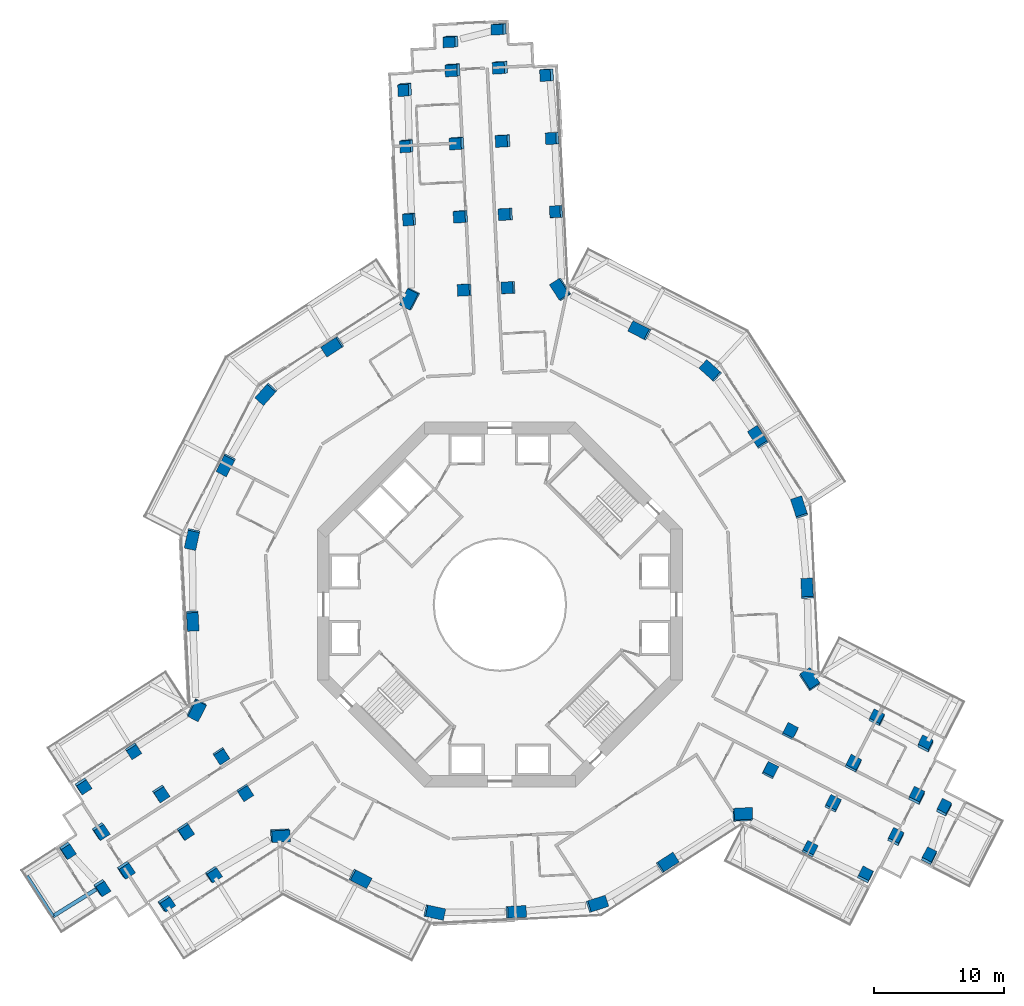
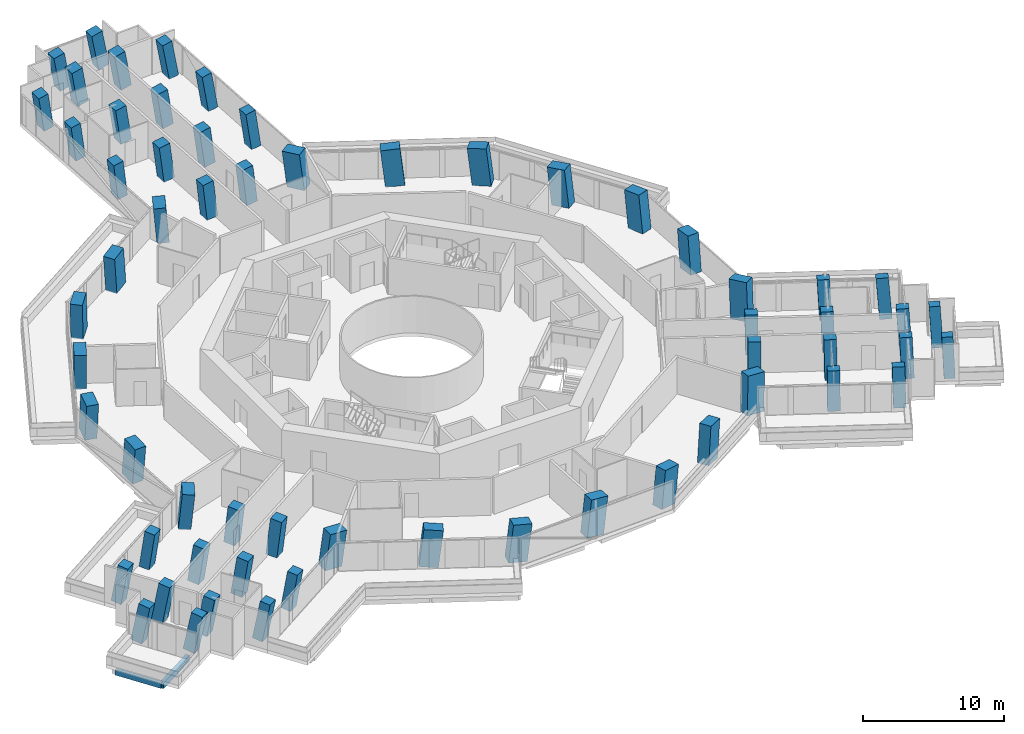
# One storey, part 1 of 25: 61 columns, 2 beams.
"""IFC4 building model written with IfcOpenShell, lengths in metres."""

from ifc_helpers import new_model, si_unit, direction, frame, origin, origin_2d, place, context, subcontext, project, spatial, rectangle, extrude, material, material_profile, profile_set, type_object, element, save


model = new_model("IFC4")

# Units and contexts
model_context = context("Model", 3, precision=1e-05, world=origin(), true_north=direction((0.0, 1.0)))
body_context = subcontext(model_context, "Body", "Model", "MODEL_VIEW")
ifc_project = project(units=[si_unit("LENGTHUNIT", "METRE"), si_unit("AREAUNIT", "SQUARE_METRE"), si_unit("VOLUMEUNIT", "CUBIC_METRE"), si_unit("PLANEANGLEUNIT", "RADIAN"), si_unit("MASSUNIT", "GRAM", prefix="KILO")], contexts=[model_context])

# Site, building, storey
site_placement = place(None, origin())
site = spatial("IfcSite", under=ifc_project, at=site_placement, CompositionType="ELEMENT")
building_placement = place(site_placement, origin())
building = spatial("IfcBuilding", under=site, at=building_placement, Name="Verdalira Terraces Hotel", CompositionType="ELEMENT")
storey_placement = place(building_placement, frame((0.0, 0.0, 46.0)))
storey = spatial("IfcBuildingStorey", under=building, at=storey_placement, Name="L09", CompositionType="ELEMENT", Elevation=46.0)

# Columns
ifc_material_1 = material(Name="Concrete C80", Category="concrete")
ifc_material_profile_1 = material_profile(ifc_material_1, rectangle(XDim=1.399902, YDim=0.899902, at=origin_2d()), Name="RC 1400X900")
ifc_profile_set_1 = profile_set([ifc_material_profile_1], Name="Concrete C80")
column_type_1 = type_object("IfcColumnType", Name="Column RC 1400X900 C80", PredefinedType="COLUMN", material=ifc_profile_set_1)
column_1_placement = place(storey_placement, frame((-6.86792, 23.469482, 0.0), z_axis=(-0.111286879, -0.033598907, 0.993220189), x_axis=(0.448207197, 0.890312389, 0.080337778)))
element("IfcColumn", 1, at=column_1_placement, inside=storey, type_object=column_type_1, Name="Column C07", PredefinedType="COLUMN", context=body_context, shape_type="SweptSolid", body=[
    extrude(rectangle(XDim=1.399902, YDim=0.899902, at=origin_2d()), origin(), (0.0, 0.0, 1.0), 3.21167),
])
column_2_placement = place(storey_placement, frame((-12.816406, 19.826416, 0.0), z_axis=(-0.093845743, -0.061752629, 0.993669759), x_axis=(-0.83468518, -0.539148529, -0.112336608)))
element("IfcColumn", 2, at=column_2_placement, inside=storey, type_object=column_type_1, Name="Column C08", PredefinedType="COLUMN", context=body_context, shape_type="SweptSolid", body=[
    extrude(rectangle(XDim=1.399902, YDim=0.899902, at=origin_2d()), origin(), (0.0, 0.0, 1.0), 3.210205),
])
column_3_placement = place(storey_placement, frame((-17.914062, 16.197998, 0.0), z_axis=(-0.076332042, -0.085835533, 0.993380934), x_axis=(0.666408039, 0.736686462, 0.114862444)))
element("IfcColumn", 3, at=column_3_placement, inside=storey, type_object=column_type_1, Name="Column C09", PredefinedType="COLUMN", context=body_context, shape_type="SweptSolid", body=[
    extrude(rectangle(XDim=1.399902, YDim=0.899902, at=origin_2d()), origin(), (0.0, 0.0, 1.0), 3.211182),
])
column_4_placement = place(storey_placement, frame((-21.012695, 10.761963, 0.0), z_axis=(-0.050345335, -0.100386469, 0.993673943), x_axis=(-0.452981845, -0.884418594, -0.112299596)))
element("IfcColumn", 4, at=column_4_placement, inside=storey, type_object=column_type_1, Name="Column C10", PredefinedType="COLUMN", context=body_context, shape_type="SweptSolid", body=[
    extrude(rectangle(XDim=1.399902, YDim=0.899902, at=origin_2d()), origin(), (0.0, 0.0, 1.0), 3.210205),
])
column_5_placement = place(storey_placement, frame((-23.612793, 5.070801, 0.0), z_axis=(-0.023188666, -0.112446021, 0.993387225), x_axis=(0.208887358, 0.971177217, 0.114808032)))
element("IfcColumn", 5, at=column_5_placement, inside=storey, type_object=column_type_1, Name="Column C11", PredefinedType="COLUMN", context=body_context, shape_type="SweptSolid", body=[
    extrude(rectangle(XDim=1.399902, YDim=0.899902, at=origin_2d()), origin(), (0.0, 0.0, 1.0), 3.211182),
])
column_6_placement = place(storey_placement, frame((-23.578613, -1.186279, 0.0), z_axis=(0.006616389, -0.112098353, 0.993675089), x_axis=(0.050128839, -0.992410287, -0.112289451)))
element("IfcColumn", 6, at=column_6_placement, inside=storey, type_object=column_type_1, Name="Column C12", PredefinedType="COLUMN", context=body_context, shape_type="SweptSolid", body=[
    extrude(rectangle(XDim=1.399902, YDim=0.899902, at=origin_2d()), origin(), (0.0, 0.0, 1.0), 3.210205),
])
column_7_placement = place(storey_placement, frame((-23.284424, -8.026611, 0.0), z_axis=(0.039068213, -0.110363901, 0.993123096), x_axis=(0.460583133, 0.883993395, 0.080117762)))
element("IfcColumn", 7, at=column_7_placement, inside=storey, type_object=column_type_1, Name="Column C13", PredefinedType="COLUMN", context=body_context, shape_type="SweptSolid", body=[
    extrude(rectangle(XDim=1.399902, YDim=0.899902, at=origin_2d()), origin(), (0.0, 0.0, 1.0), 3.211914),
])
column_8_placement = place(storey_placement, frame((-16.891113, -17.682617, 0.0), z_axis=(0.084757235, -0.079588184, 0.993217968), x_axis=(-0.995133866, -0.057029138, 0.080350892)))
element("IfcColumn", 8, at=column_8_placement, inside=storey, type_object=column_type_1, Name="Column C20", PredefinedType="COLUMN", context=body_context, shape_type="SweptSolid", body=[
    extrude(rectangle(XDim=1.399902, YDim=0.899902, at=origin_2d()), origin(), (0.0, 0.0, 1.0), 3.21167),
])
column_9_placement = place(storey_placement, frame((-10.761963, -21.012695, 0.0), z_axis=(0.100386469, -0.050345335, 0.993673943), x_axis=(0.884418594, -0.452981845, -0.112299596)))
element("IfcColumn", 9, at=column_9_placement, inside=storey, type_object=column_type_1, Name="Column C21", PredefinedType="COLUMN", context=body_context, shape_type="SweptSolid", body=[
    extrude(rectangle(XDim=1.399902, YDim=0.899902, at=origin_2d()), origin(), (0.0, 0.0, 1.0), 3.210205),
])
column_10_placement = place(storey_placement, frame((-5.070801, -23.612793, 0.0), z_axis=(0.112446021, -0.023188666, 0.993387225), x_axis=(-0.971177217, 0.208887358, 0.114808032)))
element("IfcColumn", 10, at=column_10_placement, inside=storey, type_object=column_type_1, Name="Column C22", PredefinedType="COLUMN", context=body_context, shape_type="SweptSolid", body=[
    extrude(rectangle(XDim=1.399902, YDim=0.899902, at=origin_2d()), origin(), (0.0, 0.0, 1.0), 3.211182),
])
column_11_placement = place(storey_placement, frame((1.186279, -23.578613, 0.0), z_axis=(0.112098353, 0.006616389, 0.993675089), x_axis=(0.992410287, 0.050128839, -0.112289451)))
element("IfcColumn", 11, at=column_11_placement, inside=storey, type_object=column_type_1, Name="Column C23", PredefinedType="COLUMN", context=body_context, shape_type="SweptSolid", body=[
    extrude(rectangle(XDim=1.399902, YDim=0.899902, at=origin_2d()), origin(), (0.0, 0.0, 1.0), 3.210205),
])
column_12_placement = place(storey_placement, frame((7.415039, -22.984863, 0.0), z_axis=(0.109023965, 0.036189266, 0.993380145), x_axis=(-0.945420162, -0.304935678, 0.114869271)))
element("IfcColumn", 12, at=column_12_placement, inside=storey, type_object=column_type_1, Name="Column C24", PredefinedType="COLUMN", context=body_context, shape_type="SweptSolid", body=[
    extrude(rectangle(XDim=1.399902, YDim=0.899902, at=origin_2d()), origin(), (0.0, 0.0, 1.0), 3.211182),
])
column_13_placement = place(storey_placement, frame((12.816406, -19.826416, 0.0), z_axis=(0.093845743, 0.061752629, 0.993669759), x_axis=(0.83468518, 0.539148529, -0.112336608)))
element("IfcColumn", 13, at=column_13_placement, inside=storey, type_object=column_type_1, Name="Column C25", PredefinedType="COLUMN", context=body_context, shape_type="SweptSolid", body=[
    extrude(rectangle(XDim=1.399902, YDim=0.899902, at=origin_2d()), origin(), (0.0, 0.0, 1.0), 3.210205),
])
column_14_placement = place(storey_placement, frame((18.593262, -16.151611, 0.0), z_axis=(0.076084042, 0.089005407, 0.993120967), x_axis=(-0.995865101, -0.042800301, 0.080130118)))
element("IfcColumn", 14, at=column_14_placement, inside=storey, type_object=column_type_1, Name="Column C26", PredefinedType="COLUMN", context=body_context, shape_type="SweptSolid", body=[
    extrude(rectangle(XDim=1.399902, YDim=0.899902, at=origin_2d()), origin(), (0.0, 0.0, 1.0), 3.212158),
])
column_15_placement = place(storey_placement, frame((23.759033, -5.787109, 0.0), z_axis=(0.026605167, 0.113261996, 0.993208883), x_axis=(0.546657728, -0.833486919, 0.080404508)))
element("IfcColumn", 15, at=column_15_placement, inside=storey, type_object=column_type_1, Name="Column C33", PredefinedType="COLUMN", context=body_context, shape_type="SweptSolid", body=[
    extrude(rectangle(XDim=1.399902, YDim=0.899902, at=origin_2d()), origin(), (0.0, 0.0, 1.0), 3.21167),
])
column_16_placement = place(storey_placement, frame((23.578613, 1.186279, 0.0), z_axis=(-0.006616389, 0.112098353, 0.993675089), x_axis=(-0.050128839, 0.992410287, -0.112289451)))
element("IfcColumn", 16, at=column_16_placement, inside=storey, type_object=column_type_1, Name="Column C34", PredefinedType="COLUMN", context=body_context, shape_type="SweptSolid", body=[
    extrude(rectangle(XDim=1.399902, YDim=0.899902, at=origin_2d()), origin(), (0.0, 0.0, 1.0), 3.210205),
])
column_17_placement = place(storey_placement, frame((22.984863, 7.415039, 0.0), z_axis=(-0.036189266, 0.109023965, 0.993380145), x_axis=(0.304935678, -0.945420162, 0.114869271)))
element("IfcColumn", 17, at=column_17_placement, inside=storey, type_object=column_type_1, Name="Column C35", PredefinedType="COLUMN", context=body_context, shape_type="SweptSolid", body=[
    extrude(rectangle(XDim=1.399902, YDim=0.899902, at=origin_2d()), origin(), (0.0, 0.0, 1.0), 3.211182),
])
column_18_placement = place(storey_placement, frame((19.826416, 12.816406, 0.0), z_axis=(-0.061752629, 0.093845743, 0.993669759), x_axis=(-0.539148529, 0.83468518, -0.112336608)))
element("IfcColumn", 18, at=column_18_placement, inside=storey, type_object=column_type_1, Name="Column C36", PredefinedType="COLUMN", context=body_context, shape_type="SweptSolid", body=[
    extrude(rectangle(XDim=1.399902, YDim=0.899902, at=origin_2d()), origin(), (0.0, 0.0, 1.0), 3.210205),
])
column_19_placement = place(storey_placement, frame((16.197998, 17.914062, 0.0), z_axis=(-0.085835533, 0.076332042, 0.993380934), x_axis=(0.736686462, -0.666408039, 0.114862444)))
element("IfcColumn", 19, at=column_19_placement, inside=storey, type_object=column_type_1, Name="Column C37", PredefinedType="COLUMN", context=body_context, shape_type="SweptSolid", body=[
    extrude(rectangle(XDim=1.399902, YDim=0.899902, at=origin_2d()), origin(), (0.0, 0.0, 1.0), 3.211182),
])
column_20_placement = place(storey_placement, frame((10.761963, 21.012695, 0.0), z_axis=(-0.100386469, 0.050345335, 0.993673943), x_axis=(-0.884418594, 0.452981845, -0.112299596)))
element("IfcColumn", 20, at=column_20_placement, inside=storey, type_object=column_type_1, Name="Column C38", PredefinedType="COLUMN", context=body_context, shape_type="SweptSolid", body=[
    extrude(rectangle(XDim=1.399902, YDim=0.899902, at=origin_2d()), origin(), (0.0, 0.0, 1.0), 3.210205),
])
column_21_placement = place(storey_placement, frame((4.691162, 24.178223, 0.0), z_axis=(-0.115152044, 0.021282226, 0.993119869), x_axis=(0.535782843, -0.8405444, 0.080136495)))
element("IfcColumn", 21, at=column_21_placement, inside=storey, type_object=column_type_1, Name="Column C39", PredefinedType="COLUMN", context=body_context, shape_type="SweptSolid", body=[
    extrude(rectangle(XDim=1.399902, YDim=0.899902, at=origin_2d()), origin(), (0.0, 0.0, 1.0), 3.212158),
])
ifc_material_2 = material(Name="Concrete C80", Category="concrete")
ifc_material_profile_2 = material_profile(ifc_material_2, rectangle(XDim=0.899902, YDim=0.800049, at=origin_2d()), Name="RC 900X800")
ifc_profile_set_2 = profile_set([ifc_material_profile_2], Name="Concrete C80")
column_type_2 = type_object("IfcColumnType", Name="Column RC 900X800 C80", PredefinedType="COLUMN", material=ifc_profile_set_2)
column_22_placement = place(storey_placement, frame((4.390381, 30.156982, 0.0), z_axis=(-0.142046154, 0.003636382, 0.989853356), x_axis=(-0.048251296, 0.998779051, -0.01059334)))
element("IfcColumn", 22, at=column_22_placement, inside=storey, type_object=column_type_2, Name="Column C01", PredefinedType="COLUMN", context=body_context, shape_type="SweptSolid", body=[
    extrude(rectangle(XDim=0.899902, YDim=0.800049, at=origin_2d()), origin(), (0.0, 0.0, 1.0), 3.222656),
])
column_23_placement = place(storey_placement, frame((4.106934, 35.790039, 0.0), z_axis=(-0.166902986, -0.013958884, 0.985874507), x_axis=(-0.051051324, 0.9986809, 0.005497508)))
element("IfcColumn", 23, at=column_23_placement, inside=storey, type_object=column_type_2, Name="Column C02", PredefinedType="COLUMN", context=body_context, shape_type="SweptSolid", body=[
    extrude(rectangle(XDim=0.899902, YDim=0.800049, at=origin_2d()), origin(), (0.0, 0.0, 1.0), 3.235596),
])
column_24_placement = place(storey_placement, frame((3.701904, 40.656006, 0.0), z_axis=(-0.18797592, -0.032005492, 0.981652027), x_axis=(-0.054917817, 0.998247812, 0.022030399)))
element("IfcColumn", 24, at=column_24_placement, inside=storey, type_object=column_type_2, Name="Column C03", PredefinedType="COLUMN", context=body_context, shape_type="SweptSolid", body=[
    extrude(rectangle(XDim=0.899902, YDim=0.800049, at=origin_2d()), origin(), (0.0, 0.0, 1.0), 3.249512),
])
column_25_placement = place(storey_placement, frame((-7.197021, 39.566895, 0.0), z_axis=(-0.182141267, -0.08293464, 0.979768546), x_axis=(0.063733328, -0.995336969, -0.072404288)))
element("IfcColumn", 25, at=column_25_placement, inside=storey, type_object=column_type_2, Name="Column C04", PredefinedType="COLUMN", context=body_context, shape_type="SweptSolid", body=[
    extrude(rectangle(XDim=0.899902, YDim=0.800049, at=origin_2d()), origin(), (0.0, 0.0, 1.0), 3.255859),
])
column_26_placement = place(storey_placement, frame((-7.078857, 35.227295, 0.0), z_axis=(-0.163544574, -0.066668332, 0.984280705), x_axis=(0.060063464, -0.996536002, -0.057518489)))
element("IfcColumn", 26, at=column_26_placement, inside=storey, type_object=column_type_2, Name="Column C05", PredefinedType="COLUMN", context=body_context, shape_type="SweptSolid", body=[
    extrude(rectangle(XDim=0.899902, YDim=0.800049, at=origin_2d()), origin(), (0.0, 0.0, 1.0), 3.240967),
])
column_27_placement = place(storey_placement, frame((-6.885498, 29.589844, 0.0), z_axis=(-0.138754895, -0.049809449, 0.989073353), x_axis=(0.056276631, -0.997517061, -0.042339749)))
element("IfcColumn", 27, at=column_27_placement, inside=storey, type_object=column_type_2, Name="Column C06", PredefinedType="COLUMN", context=body_context, shape_type="SweptSolid", body=[
    extrude(rectangle(XDim=0.899902, YDim=0.800049, at=origin_2d()), origin(), (0.0, 0.0, 1.0), 3.225098),
])
column_28_placement = place(storey_placement, frame((-28.160889, -11.178711, 0.0), z_axis=(0.074106451, -0.119570531, 0.990056121), x_axis=(-0.840046371, -0.542508173, -0.002641401)))
element("IfcColumn", 28, at=column_28_placement, inside=storey, type_object=column_type_2, Name="Column C14", PredefinedType="COLUMN", context=body_context, shape_type="SweptSolid", body=[
    extrude(rectangle(XDim=0.899902, YDim=0.800049, at=origin_2d()), origin(), (0.0, 0.0, 1.0), 3.221924),
])
column_29_placement = place(storey_placement, frame((-32.020996, -13.864746, 0.0), z_axis=(0.106613269, -0.123903948, 0.986550264), x_axis=(-0.837760285, -0.54559437, 0.02201111)))
element("IfcColumn", 29, at=column_29_placement, inside=storey, type_object=column_type_2, Name="Column C15", PredefinedType="COLUMN", context=body_context, shape_type="SweptSolid", body=[
    extrude(rectangle(XDim=0.899902, YDim=0.800049, at=origin_2d()), origin(), (0.0, 0.0, 1.0), 3.233398),
])
column_30_placement = place(storey_placement, frame((-33.242188, -18.809814, 0.0), z_axis=(0.129644072, -0.129042126, 0.983127939), x_axis=(0.528268693, -0.830077524, -0.178615484)))
element("IfcColumn", 30, at=column_30_placement, inside=storey, type_object=column_type_2, Name="Column C16", PredefinedType="COLUMN", context=body_context, shape_type="SweptSolid", body=[
    extrude(rectangle(XDim=0.899902, YDim=0.800049, at=origin_2d()), origin(), (0.0, 0.0, 1.0), 3.244629),
])
column_31_placement = place(storey_placement, frame((-30.603271, -21.67627, 0.0), z_axis=(0.142996831, -0.1164435, 0.982849336), x_axis=(0.52613126, -0.832172984, -0.175140005)))
element("IfcColumn", 31, at=column_31_placement, inside=storey, type_object=column_type_2, Name="Column C17", PredefinedType="COLUMN", context=body_context, shape_type="SweptSolid", body=[
    extrude(rectangle(XDim=0.899902, YDim=0.800049, at=origin_2d()), origin(), (0.0, 0.0, 1.0), 3.245605),
])
column_32_placement = place(storey_placement, frame((-25.658203, -22.897217, 0.0), z_axis=(0.148731573, -0.093352796, 0.984461363), x_axis=(0.831226085, 0.551077806, -0.073324268)))
element("IfcColumn", 32, at=column_32_placement, inside=storey, type_object=column_type_2, Name="Column C18", PredefinedType="COLUMN", context=body_context, shape_type="SweptSolid", body=[
    extrude(rectangle(XDim=0.899902, YDim=0.800049, at=origin_2d()), origin(), (0.0, 0.0, 1.0), 3.240234),
])
column_33_placement = place(storey_placement, frame((-22.026367, -20.668457, 0.0), z_axis=(0.11874164, -0.090058987, 0.988832545), x_axis=(0.834884215, 0.548119312, -0.050334559)))
element("IfcColumn", 33, at=column_33_placement, inside=storey, type_object=column_type_2, Name="Column C19", PredefinedType="COLUMN", context=body_context, shape_type="SweptSolid", body=[
    extrude(rectangle(XDim=0.899902, YDim=0.800049, at=origin_2d()), origin(), (0.0, 0.0, 1.0), 3.226074),
])
column_34_placement = place(storey_placement, frame((23.761475, -18.798584, 0.0), z_axis=(0.066453511, 0.123965728, 0.990058801), x_axis=(0.889979564, -0.455992763, -0.002641047)))
element("IfcColumn", 34, at=column_34_placement, inside=storey, type_object=column_type_2, Name="Column C27", PredefinedType="COLUMN", context=body_context, shape_type="SweptSolid", body=[
    extrude(rectangle(XDim=0.899902, YDim=0.800049, at=origin_2d()), origin(), (0.0, 0.0, 1.0), 3.221924),
])
column_35_placement = place(storey_placement, frame((28.017578, -20.798828, 0.0), z_axis=(0.053985791, 0.154331407, 0.986543132), x_axis=(0.891454595, -0.452574813, 0.022016905)))
element("IfcColumn", 35, at=column_35_placement, inside=storey, type_object=column_type_2, Name="Column C28", PredefinedType="COLUMN", context=body_context, shape_type="SweptSolid", body=[
    extrude(rectangle(XDim=0.899902, YDim=0.800049, at=origin_2d()), origin(), (0.0, 0.0, 1.0), 3.233398),
])
column_36_placement = place(storey_placement, frame((32.910889, -19.383789, 0.0), z_axis=(0.046877061, 0.176748342, 0.983139138), x_axis=(0.454543069, 0.872644317, -0.178556699)))
element("IfcColumn", 36, at=column_36_placement, inside=storey, type_object=column_type_2, Name="Column C29", PredefinedType="COLUMN", context=body_context, shape_type="SweptSolid", body=[
    extrude(rectangle(XDim=0.899902, YDim=0.800049, at=origin_2d()), origin(), (0.0, 0.0, 1.0), 3.244629),
])
column_37_placement = place(storey_placement, frame((34.07373, -15.665039, 0.0), z_axis=(0.029411831, 0.182037421, 0.982851627), x_axis=(0.457948811, 0.871557759, -0.175128407)))
element("IfcColumn", 37, at=column_37_placement, inside=storey, type_object=column_type_2, Name="Column C30", PredefinedType="COLUMN", context=body_context, shape_type="SweptSolid", body=[
    extrude(rectangle(XDim=0.899902, YDim=0.800049, at=origin_2d()), origin(), (0.0, 0.0, 1.0), 3.245605),
])
column_38_placement = place(storey_placement, frame((32.658691, -10.771973, 0.0), z_axis=(0.006479697, 0.175479225, 0.98446181), x_axis=(-0.892861218, 0.444322576, -0.073323222)))
element("IfcColumn", 38, at=column_38_placement, inside=storey, type_object=column_type_2, Name="Column C31", PredefinedType="COLUMN", context=body_context, shape_type="SweptSolid", body=[
    extrude(rectangle(XDim=0.899902, YDim=0.800049, at=origin_2d()), origin(), (0.0, 0.0, 1.0), 3.240234),
])
column_39_placement = place(storey_placement, frame((28.912598, -8.740967, 0.0), z_axis=(0.018617403, 0.147804018, 0.988841425), x_axis=(-0.892120248, 0.448987638, -0.050314654)))
element("IfcColumn", 39, at=column_39_placement, inside=storey, type_object=column_type_2, Name="Column C32", PredefinedType="COLUMN", context=body_context, shape_type="SweptSolid", body=[
    extrude(rectangle(XDim=0.899902, YDim=0.800049, at=origin_2d()), origin(), (0.0, 0.0, 1.0), 3.22583),
])
column_40_placement = place(storey_placement, frame((0.030029, 44.185791, 0.0), z_axis=(-0.20370236, -0.049092119, 0.977801264), x_axis=(-0.977756005, -0.040790677, -0.205740895)))
element("IfcColumn", 40, at=column_40_placement, inside=storey, type_object=column_type_2, Name="Column C40", PredefinedType="COLUMN", context=body_context, shape_type="SweptSolid", body=[
    extrude(rectangle(XDim=0.899902, YDim=0.800049, at=origin_2d()), origin(), (0.0, 0.0, 1.0), 3.262451),
])
column_41_placement = place(storey_placement, frame((-3.666992, 43.239014, 0.0), z_axis=(-0.199048888, -0.066449403, 0.977734124), x_axis=(-0.978690903, -0.037867193, -0.201817226)))
element("IfcColumn", 41, at=column_41_placement, inside=storey, type_object=column_type_2, Name="Column C41", PredefinedType="COLUMN", context=body_context, shape_type="SweptSolid", body=[
    extrude(rectangle(XDim=0.899902, YDim=0.800049, at=origin_2d()), origin(), (0.0, 0.0, 1.0), 3.262695),
])
ifc_material_3 = material(Name="Concrete C80", Category="concrete")
ifc_material_profile_3 = material_profile(ifc_material_3, rectangle(XDim=0.899902, YDim=0.899902, at=origin_2d()), Name="RC 900X900")
ifc_profile_set_3 = profile_set([ifc_material_profile_3], Name="Concrete C80")
column_type_3 = type_object("IfcColumnType", Name="Column RC 900X900 C80", PredefinedType="COLUMN", material=ifc_profile_set_3)
for number, where, z_axis, x_axis, name in (
    (42, (0.685303, 24.323486, 0.0), (-0.115702898, 0.002280609, 0.993281248), (-0.049384985, 0.99874741, -0.008045796), "Column C42"),
    (43, (-2.666992, 24.154785, 0.0), (-0.114717372, -0.013607959, 0.993304962), (-0.050873211, 0.998674612, 0.007806144), "Column C43"),
):
    element("IfcColumn", number, at=place(storey_placement, frame(where, z_axis=z_axis, x_axis=x_axis)), inside=storey, type_object=column_type_3, Name=name, PredefinedType="COLUMN", context=body_context, shape_type="SweptSolid", body=[
        extrude(rectangle(XDim=0.899902, YDim=0.899902, at=origin_2d()), origin(), (0.0, 0.0, 1.0), 3.211426),
    ])
column_42_placement = place(storey_placement, frame((0.497314, 29.961182, 0.0), z_axis=(-0.140917837, -0.014849406, 0.989909924), x_axis=(-0.051180049, 0.998659797, 0.007694966)))
element("IfcColumn", 44, at=column_42_placement, inside=storey, type_object=column_type_3, Name="Column C44", PredefinedType="COLUMN", context=body_context, shape_type="SweptSolid", body=[
    extrude(rectangle(XDim=0.899902, YDim=0.899902, at=origin_2d()), origin(), (0.0, 0.0, 1.0), 3.222412),
])
column_43_placement = place(storey_placement, frame((-2.950439, 29.787842, 0.0), z_axis=(-0.139899551, -0.031206614, 0.989673816), x_axis=(-0.053751509, 0.998268777, 0.023879359)))
element("IfcColumn", 45, at=column_43_placement, inside=storey, type_object=column_type_3, Name="Column C45", PredefinedType="COLUMN", context=body_context, shape_type="SweptSolid", body=[
    extrude(rectangle(XDim=0.899902, YDim=0.899902, at=origin_2d()), origin(), (0.0, 0.0, 1.0), 3.223145),
])
column_44_placement = place(storey_placement, frame((0.309326, 35.599121, 0.0), z_axis=(-0.165807484, -0.031909266, 0.985641759), x_axis=(-0.054307644, 0.998255119, 0.023181824)))
element("IfcColumn", 46, at=column_44_placement, inside=storey, type_object=column_type_3, Name="Column C46", PredefinedType="COLUMN", context=body_context, shape_type="SweptSolid", body=[
    extrude(rectangle(XDim=0.899902, YDim=0.899902, at=origin_2d()), origin(), (0.0, 0.0, 1.0), 3.236328),
])
column_45_placement = place(storey_placement, frame((-3.233887, 35.420654, 0.0), z_axis=(-0.164743019, -0.048555837, 0.985140634), x_axis=(-0.056857641, 0.997594194, 0.039661466)))
element("IfcColumn", 47, at=column_45_placement, inside=storey, type_object=column_type_3, Name="Column C47", PredefinedType="COLUMN", context=body_context, shape_type="SweptSolid", body=[
    extrude(rectangle(XDim=0.899902, YDim=0.899902, at=origin_2d()), origin(), (0.0, 0.0, 1.0), 3.238037),
])
column_46_placement = place(storey_placement, frame((0.121582, 41.236816, 0.0), z_axis=(-0.190381344, -0.048777246, 0.980497692), x_axis=(-0.058012748, 0.997578478, 0.038362748)))
element("IfcColumn", 48, at=column_46_placement, inside=storey, type_object=column_type_3, Name="Column C48", PredefinedType="COLUMN", context=body_context, shape_type="SweptSolid", body=[
    extrude(rectangle(XDim=0.899902, YDim=0.899902, at=origin_2d()), origin(), (0.0, 0.0, 1.0), 3.253418),
])
column_47_placement = place(storey_placement, frame((-3.51709, 41.053711, 0.0), z_axis=(-0.189256207, -0.065759784, 0.979723297), x_axis=(-0.061009816, 0.99661472, 0.055108092)))
element("IfcColumn", 49, at=column_47_placement, inside=storey, type_object=column_type_3, Name="Column C49", PredefinedType="COLUMN", context=body_context, shape_type="SweptSolid", body=[
    extrude(rectangle(XDim=0.899902, YDim=0.899902, at=origin_2d()), origin(), (0.0, 0.0, 1.0), 3.255859),
])
for number, where, z_axis, x_axis, name in (
    (50, (-21.407227, -11.568359, 0.0), (0.055874965, -0.10133514, 0.993282023), (-0.840238519, -0.542157268, -0.008045333), "Column C50"),
    (51, (-19.585205, -14.387207, 0.0), (0.069180112, -0.092518897, 0.99330477), (-0.83923186, -0.543717709, 0.007806256), "Column C51"),
):
    element("IfcColumn", number, at=place(storey_placement, frame(where, z_axis=z_axis, x_axis=x_axis)), inside=storey, type_object=column_type_3, Name=name, PredefinedType="COLUMN", context=body_context, shape_type="SweptSolid", body=[
        extrude(rectangle(XDim=0.899902, YDim=0.899902, at=origin_2d()), origin(), (0.0, 0.0, 1.0), 3.211426),
    ])
column_48_placement = place(storey_placement, frame((-26.043213, -14.454346, 0.0), z_axis=(0.089555062, -0.109405677, 0.98995469), x_axis=(-0.838496243, -0.544682378, 0.015657524)))
element("IfcColumn", 52, at=column_48_placement, inside=storey, type_object=column_type_3, Name="Column C52", PredefinedType="COLUMN", context=body_context, shape_type="SweptSolid", body=[
    extrude(rectangle(XDim=0.899902, YDim=0.899902, at=origin_2d()), origin(), (0.0, 0.0, 1.0), 3.222412),
])
column_49_placement = place(storey_placement, frame((-24.170654, -17.351318, 0.0), z_axis=(0.103229808, -0.100351794, 0.989582298), x_axis=(-0.836688495, -0.546753036, 0.031835194)))
element("IfcColumn", 53, at=column_49_placement, inside=storey, type_object=column_type_3, Name="Column C53", PredefinedType="COLUMN", context=body_context, shape_type="SweptSolid", body=[
    extrude(rectangle(XDim=0.899902, YDim=0.899902, at=origin_2d()), origin(), (0.0, 0.0, 1.0), 3.223633),
])
column_50_placement = place(storey_placement, frame((-30.679199, -17.340332, 0.0), z_axis=(0.12286311, -0.117281851, 0.98546924), x_axis=(-0.835614152, -0.547932789, 0.038969843)))
element("IfcColumn", 54, at=column_50_placement, inside=storey, type_object=column_type_3, Name="Column C54", PredefinedType="COLUMN", context=body_context, shape_type="SweptSolid", body=[
    extrude(rectangle(XDim=0.899902, YDim=0.899902, at=origin_2d()), origin(), (0.0, 0.0, 1.0), 3.237061),
])
column_51_placement = place(storey_placement, frame((-28.756104, -20.31543, 0.0), z_axis=(0.13678321, -0.10807004, 0.984688387), x_axis=(-0.833459883, -0.549792202, 0.055436068)))
element("IfcColumn", 55, at=column_51_placement, inside=storey, type_object=column_type_3, Name="Column C55", PredefinedType="COLUMN", context=body_context, shape_type="SweptSolid", body=[
    extrude(rectangle(XDim=0.899902, YDim=0.899902, at=origin_2d()), origin(), (0.0, 0.0, 1.0), 3.239502),
])
for number, where, z_axis, x_axis, name in (
    (56, (20.722168, -12.755127, 0.0), (0.059828012, 0.099054511, 0.99328184), (0.889614143, -0.456642035, -0.008045443), "Column C56"),
    (57, (22.252197, -9.767578, 0.0), (0.045537445, 0.106127335, 0.993309282), (0.890407353, -0.455097625, 0.007803634), "Column C57"),
):
    element("IfcColumn", number, at=place(storey_placement, frame(where, z_axis=z_axis, x_axis=x_axis)), inside=storey, type_object=column_type_3, Name=name, PredefinedType="COLUMN", context=body_context, shape_type="SweptSolid", body=[
        extrude(rectangle(XDim=0.899902, YDim=0.899902, at=origin_2d()), origin(), (0.0, 0.0, 1.0), 3.211426),
    ])
column_52_placement = place(storey_placement, frame((25.539551, -15.326904, 0.0), z_axis=(0.049930022, 0.132212275, 0.989963084), x_axis=(0.891024407, -0.45368552, 0.015651014)))
element("IfcColumn", 58, at=column_52_placement, inside=storey, type_object=column_type_3, Name="Column C58", PredefinedType="COLUMN", context=body_context, shape_type="SweptSolid", body=[
    extrude(rectangle(XDim=0.899902, YDim=0.899902, at=origin_2d()), origin(), (0.0, 0.0, 1.0), 3.222168),
])
column_53_placement = place(storey_placement, frame((27.112061, -12.256592, 0.0), z_axis=(0.035293868, 0.139509238, 0.98959159), x_axis=(0.891790029, -0.451329108, 0.031821067)))
element("IfcColumn", 59, at=column_53_placement, inside=storey, type_object=column_type_3, Name="Column C59", PredefinedType="COLUMN", context=body_context, shape_type="SweptSolid", body=[
    extrude(rectangle(XDim=0.899902, YDim=0.899902, at=origin_2d()), origin(), (0.0, 0.0, 1.0), 3.223389),
])
column_54_placement = place(storey_placement, frame((30.356689, -17.898926, 0.0), z_axis=(0.040199672, 0.165097715, 0.985457625), x_axis=(0.892205433, -0.44994401, 0.038985301)))
element("IfcColumn", 60, at=column_54_placement, inside=storey, type_object=column_type_3, Name="Column C60", PredefinedType="COLUMN", context=body_context, shape_type="SweptSolid", body=[
    extrude(rectangle(XDim=0.899902, YDim=0.899902, at=origin_2d()), origin(), (0.0, 0.0, 1.0), 3.237061),
])
column_55_placement = place(storey_placement, frame((31.97168, -14.745605, 0.0), z_axis=(0.025246732, 0.172431414, 0.984697928), x_axis=(0.892721629, -0.447187696, 0.055418927)))
element("IfcColumn", 61, at=column_55_placement, inside=storey, type_object=column_type_3, Name="Column C61", PredefinedType="COLUMN", context=body_context, shape_type="SweptSolid", body=[
    extrude(rectangle(XDim=0.899902, YDim=0.899902, at=origin_2d()), origin(), (0.0, 0.0, 1.0), 3.239502),
])

# Beams
ifc_material_4 = material(Name="Concrete C40", Category="concrete")
ifc_material_profile_4 = material_profile(ifc_material_4, rectangle(XDim=0.300049, YDim=0.5, at=origin_2d()), Name="RC 300X500")
ifc_profile_set_4 = profile_set([ifc_material_profile_4], Name="Concrete C40")
beam_type_1 = type_object("IfcBeamType", Name="Balcony cantilever beam RC 300X500 C40", PredefinedType="BEAM", material=ifc_profile_set_4)
beam_1_placement = place(storey_placement, frame((-30.983887, -21.8479, -0.560059), z_axis=(-0.848796141, -0.528720258, 0.0), x_axis=(0.528720258, -0.848796141, 0.0)))
element("IfcBeam", 62, at=beam_1_placement, inside=storey, type_object=beam_type_1, Name="Balcony cantilever beam R19-2", PredefinedType="BEAM", context=body_context, shape_type="SweptSolid", body=[
    extrude(rectangle(XDim=0.300049, YDim=0.5, at=origin_2d()), origin(), (0.0, 0.0, 1.0), 3.897705),
])
ifc_material_5 = material(Name="Concrete C40", Category="concrete")
ifc_material_profile_5 = material_profile(ifc_material_5, rectangle(XDim=0.25, YDim=0.449951, at=origin_2d()), Name="RC 250X450")
ifc_profile_set_5 = profile_set([ifc_material_profile_5], Name="Concrete C40")
beam_type_2 = type_object("IfcBeamType", Name="Balcony edge beam RC 250X450 C40", PredefinedType="BEAM", material=ifc_profile_set_5)
beam_2_placement = place(storey_placement, frame((-36.290039, -20.818359, -0.534912), z_axis=(0.542901868, -0.839796143, 0.0), x_axis=(0.839796143, 0.542901868, 0.0)))
element("IfcBeam", 63, at=beam_2_placement, inside=storey, type_object=beam_type_2, Name="Balcony edge beam R19-1", PredefinedType="BEAM", context=body_context, shape_type="SweptSolid", body=[
    extrude(rectangle(XDim=0.25, YDim=0.449951, at=origin_2d()), origin(), (0.0, 0.0, 1.0), 3.679932),
])

save(model, "model.ifc")
